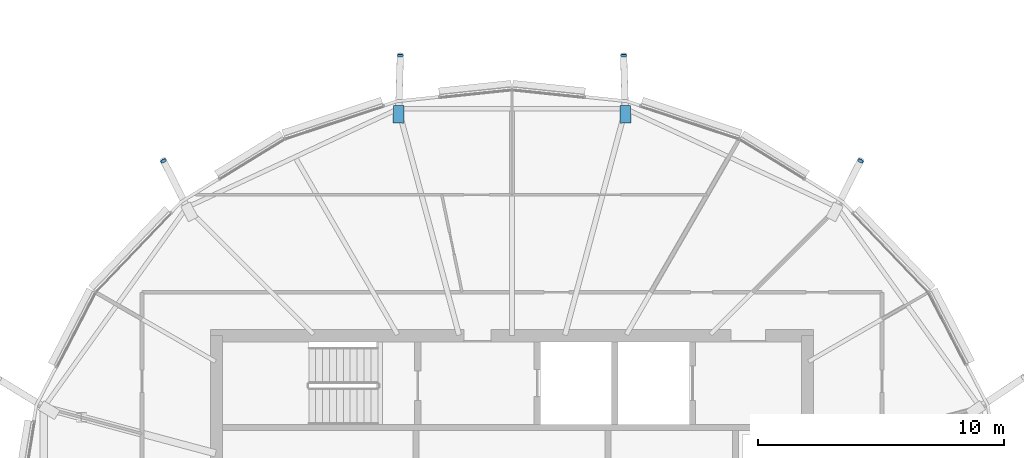
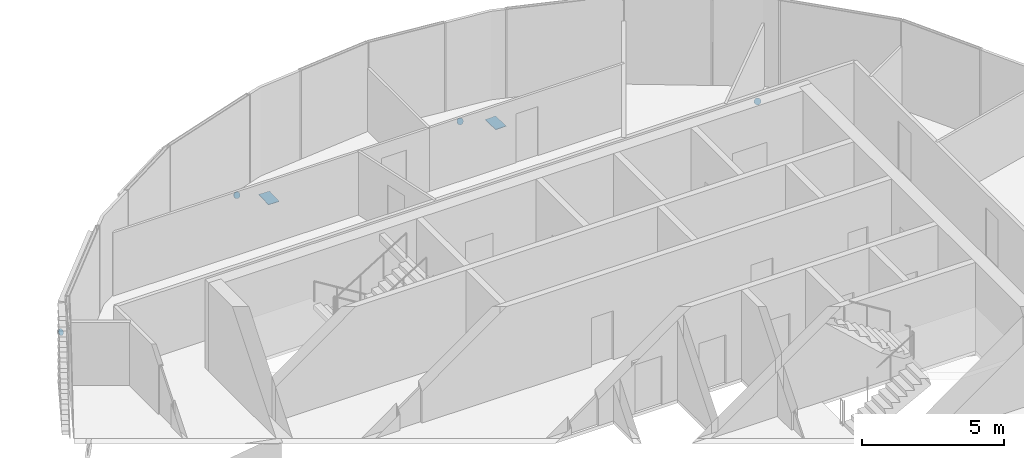
# One storey, part 27 of 36: 6 discrete accessories.
"""IFC4 building model written with IfcOpenShell, lengths in metres."""

import ifcopenshell
import ifcopenshell.guid

model = None  # the IFC model being written
_history = None  # IfcOwnerHistory: only IFC2X3 demands one
_inside = {}  # id of a spatial element -> (the spatial element, [elements in it])
_under = {}  # id of a project, library or spatial element -> (it, [spatial elements below it])
_declared = {}  # id of a project -> (the project, [libraries it declares])
_typed = {}  # id of a type object -> (the type object, [elements of that type])
_made_of = {}  # id of a material, layer set ... -> (it, [elements and type objects made of it])


def new_model(schema):
    """Start an empty IFC model of exactly this schema.

    Asked for "IFC4X3", IfcOpenShell would pick the latest addendum, in which some entities
    have other attributes; the version numbers below select the first issue.
    IFC2X3 requires an IfcOwnerHistory on every rooted entity: one is made here for all.
    """
    global model, _history
    if schema == "IFC4X3":
        model = ifcopenshell.file(schema_version=(4, 3, 0, 0))
    else:
        model = ifcopenshell.file(schema=schema)
    _inside.clear()
    _under.clear()
    _declared.clear()
    _typed.clear()
    _made_of.clear()
    _history = None
    if model.schema == "IFC2X3":
        org = make("IfcOrganization", Name="unknown")
        user = make(
            "IfcPersonAndOrganization",
            ThePerson=make("IfcPerson", FamilyName="unknown"),
            TheOrganization=org,
        )
        app = make(
            "IfcApplication",
            ApplicationDeveloper=org,
            Version="unknown",
            ApplicationFullName="unknown",
            ApplicationIdentifier="unknown",
        )
        _history = make(
            "IfcOwnerHistory",
            OwningUser=user,
            OwningApplication=app,
            ChangeAction="ADDED",
            CreationDate=0,
        )
    return model


def make(cls, **values):
    """One entity of the class cls with the attributes given. An attribute that is None is left unset."""
    return model.create_entity(
        cls, **{name: value for name, value in values.items() if value is not None}
    )


def rooted(cls, **values):
    """An entity with a GlobalId (a new one), such as an element, a storey or a relation."""
    return make(cls, GlobalId=ifcopenshell.guid.new(), OwnerHistory=_history, **values)


def si_unit(unit_type, name, prefix=None):
    """IfcSIUnit, for example si_unit("LENGTHUNIT", "METRE", prefix="MILLI")."""
    return make("IfcSIUnit", UnitType=unit_type, Prefix=prefix, Name=name)


def assignment(units):
    """IfcUnitAssignment: the units of a project."""
    return None if units is None else make("IfcUnitAssignment", Units=units)


def point(xyz):
    """IfcCartesianPoint."""
    return None if xyz is None else make("IfcCartesianPoint", Coordinates=xyz)


def direction(xyz):
    """IfcDirection."""
    return None if xyz is None else make("IfcDirection", DirectionRatios=xyz)


def frame(location, z_axis=None, x_axis=None):
    """IfcAxis2Placement3D, a coordinate frame: its origin and axes. An axis left out is left unset."""
    return make(
        "IfcAxis2Placement3D",
        Location=point(location),
        Axis=direction(z_axis),
        RefDirection=direction(x_axis),
    )


def frame_2d(location, x_axis=None):
    """IfcAxis2Placement2D, a coordinate frame in the plane: its origin and x axis."""
    return make(
        "IfcAxis2Placement2D", Location=point(location), RefDirection=direction(x_axis)
    )


def origin():
    """The frame at (0, 0, 0) with its axes left unset."""
    return frame((0.0, 0.0, 0.0))


def origin_2d():
    """The frame at (0, 0) in the plane with its x axis left unset."""
    return frame_2d((0.0, 0.0))


def place(relative_to, where):
    """IfcLocalPlacement: puts the frame where relative to a parent placement (None: the world)."""
    return make(
        "IfcLocalPlacement", PlacementRelTo=relative_to, RelativePlacement=where
    )


def context(
    kind, dimensions, precision=None, world=None, true_north=None, identifier=None
):
    """IfcGeometricRepresentationContext, for example the 3D "Model" context."""
    return make(
        "IfcGeometricRepresentationContext",
        ContextIdentifier=identifier,
        ContextType=kind,
        CoordinateSpaceDimension=dimensions,
        Precision=precision,
        WorldCoordinateSystem=world,
        TrueNorth=true_north,
    )


def subcontext(parent, identifier, kind, view, scale=None):
    """IfcGeometricRepresentationSubContext, for example "Body" below "Model"."""
    return make(
        "IfcGeometricRepresentationSubContext",
        ContextIdentifier=identifier,
        ContextType=kind,
        ParentContext=parent,
        TargetScale=scale,
        TargetView=view,
    )


def project(units=None, contexts=None):
    """IfcProject with its units and contexts."""
    return rooted(
        "IfcProject",
        Name="project",
        RepresentationContexts=contexts,
        UnitsInContext=assignment(units),
    )


def spatial(cls, under=None, at=None, **own):
    """A site, building, storey or space (cls), placed at a placement, below another one or the project."""
    s = rooted(cls, ObjectPlacement=at, **own)
    if under is not None:
        _under.setdefault(under.id(), (under, []))[1].append(s)
    return s


def polyline(points):
    """IfcPolyline through the points."""
    return make("IfcPolyline", Points=[point(p) for p in points])


def profile(cls, at=None, kind="AREA", **sizes):
    """A parametric profile (cls). Its sizes go by their IFC names, for example OverallWidth=200.0."""
    return make(cls, ProfileType=kind, Position=at, **sizes)


def rectangle(**sizes):
    """IfcRectangleProfileDef."""
    return profile("IfcRectangleProfileDef", **sizes)


def circle(**sizes):
    """IfcCircleProfileDef."""
    return profile("IfcCircleProfileDef", **sizes)


def outline(outer, holes=None, kind="AREA"):
    """IfcArbitraryClosedProfileDef: a profile drawn as a closed curve; with holes, ...WithVoids."""
    if holes is None:
        return make("IfcArbitraryClosedProfileDef", ProfileType=kind, OuterCurve=outer)
    return make(
        "IfcArbitraryProfileDefWithVoids",
        ProfileType=kind,
        OuterCurve=outer,
        InnerCurves=holes,
    )


def extrude(swept, where, along, depth):
    """IfcExtrudedAreaSolid: the profile swept, set in the frame where, extruded along a direction by depth."""
    return make(
        "IfcExtrudedAreaSolid",
        SweptArea=swept,
        Position=where,
        ExtrudedDirection=direction(along),
        Depth=depth,
    )


def shape(context_of_items, identifier, shape_type, items):
    """IfcShapeRepresentation: the items that make up one representation, for example the "Body"."""
    return make(
        "IfcShapeRepresentation",
        ContextOfItems=context_of_items,
        RepresentationIdentifier=identifier,
        RepresentationType=shape_type,
        Items=items,
    )


def material(Name=None, Category=None):
    """IfcMaterial."""
    return make("IfcMaterial", Name=Name, Category=Category)


def material_profile(
    of_material, cross_section, Name=None, Category=None, Priority=None
):
    """IfcMaterialProfile: a cross section and its material."""
    return make(
        "IfcMaterialProfile",
        Name=Name,
        Material=of_material,
        Profile=cross_section,
        Priority=Priority,
        Category=Category,
    )


def profile_set(profiles, Name=None, composite=None):
    """IfcMaterialProfileSet."""
    return make(
        "IfcMaterialProfileSet",
        Name=Name,
        MaterialProfiles=profiles,
        CompositeProfile=composite,
    )


def made_of(thing, what):
    """Note that an element or type object is made of a material, layer set ...; save() writes the relation."""
    if what is not None:
        _made_of.setdefault(what.id(), (what, []))[1].append(thing)
    return thing


def type_object(cls, material=None, **own):
    """A type object (cls), such as IfcWallType, which elements share."""
    return made_of(rooted(cls, **own), material)


def element(
    cls,
    number,
    at=None,
    inside=None,
    cuts=None,
    type_object=None,
    material=None,
    context=None,
    identifier="Body",
    shape_type=None,
    held_by="IfcProductDefinitionShape",
    body=None,
    shapes=None,
    **own,
):
    """One element of the class cls, such as IfcWall. Its Tag is "e" and its number.

    at: its placement. inside: the storey or other place that contains it. cuts: it is an
    opening in that element (IfcRelVoidsElement). A single representation is given by context,
    identifier, shape_type and body (its items); several are given by shapes. held_by: the class
    of the entity that holds the representations. save() writes the other relations.
    """
    e = rooted(cls, Tag="e%d" % number, ObjectPlacement=at, **own)
    if body is not None:
        shapes = [shape(context, identifier, shape_type, body)]
    if shapes is not None:
        e.Representation = make(held_by, Representations=shapes)
    if inside is not None:
        _inside.setdefault(inside.id(), (inside, []))[1].append(e)
    if cuts is not None:
        rooted(
            "IfcRelVoidsElement", RelatingBuildingElement=cuts, RelatedOpeningElement=e
        )
    if type_object is not None:
        _typed.setdefault(type_object.id(), (type_object, []))[1].append(e)
    return made_of(e, material)


def aggregate(whole, parts):
    """IfcRelAggregates: a whole, such as a stair, and the parts it consists of."""
    return rooted("IfcRelAggregates", RelatingObject=whole, RelatedObjects=parts)


def save(model, path):
    """Write the relations noted so far, then the file.

    IfcRelAggregates (storeys below a building ...), IfcRelContainedInSpatialStructure (elements
    in a storey), IfcRelDefinesByType, IfcRelAssociatesMaterial and IfcRelDeclares: one each for
    every whole, place, type object, material and project.
    """
    for whole, parts in _under.values():
        aggregate(whole, parts)
    for where, things in _inside.values():
        rooted(
            "IfcRelContainedInSpatialStructure",
            RelatedElements=things,
            RelatingStructure=where,
        )
    for kind, things in _typed.values():
        rooted("IfcRelDefinesByType", RelatedObjects=things, RelatingType=kind)
    for what, things in _made_of.values():
        rooted("IfcRelAssociatesMaterial", RelatedObjects=things, RelatingMaterial=what)
    for by, libraries in _declared.values():
        rooted("IfcRelDeclares", RelatingContext=by, RelatedDefinitions=libraries)
    model.write(path)


model = new_model("IFC4")

# Units and contexts
model_context = context("Model", 3, precision=1e-05, world=origin(), true_north=direction((0.0, 1.0)))
body_context = subcontext(model_context, "Body", "Model", "MODEL_VIEW")
ifc_project = project(units=[si_unit("LENGTHUNIT", "METRE"), si_unit("AREAUNIT", "SQUARE_METRE"), si_unit("VOLUMEUNIT", "CUBIC_METRE"), si_unit("PLANEANGLEUNIT", "RADIAN"), si_unit("MASSUNIT", "GRAM", prefix="KILO")], contexts=[model_context])

# Site, building, storey
site_placement = place(None, origin())
site = spatial("IfcSite", under=ifc_project, at=site_placement, CompositionType="ELEMENT")
building_placement = place(site_placement, origin())
building = spatial("IfcBuilding", under=site, at=building_placement, Name="Rimbun Link Towers", CompositionType="ELEMENT")
storey_placement = place(building_placement, frame((0.0, 0.0, 248.5)))
storey = spatial("IfcBuildingStorey", under=building, at=storey_placement, Name="L61", CompositionType="ELEMENT", Elevation=248.5)

# Discrete accessories
ifc_material_1 = material(Name="Steel S355J2H", Category="steel")
ifc_material_profile_1 = material_profile(ifc_material_1, circle(Radius=0.1240234375, at=origin_2d()), Name="PL D248")
ifc_profile_set_1 = profile_set([ifc_material_profile_1], Name="Steel S355J2H")
discrete_accessory_type_1 = type_object("IfcDiscreteAccessoryType", Name="Link foot sealing plate D248X20", PredefinedType="BRACKET", material=ifc_profile_set_1)
for number, where, z_axis, x_axis, name in (
    (1, (-17.6015625, 15.09619140625, -1.95068359375), (0.389289794786, 0.766414283485, -0.510942855656), (-0.891578868093, 0.452865456809, 0.0), "Link foot sealing plate T1 L61 03"),
    (2, (-27.215087890625, 19.368896484375, -2.02783203125), (-0.024274991071, 0.873899678569, -0.485499821427), (-0.999614420653, -0.02776706724, 0.0), "Link foot sealing plate T1 L61 05"),
    (3, (-36.284912109375, 19.368896484375, -2.02783203125), (0.024274991071, 0.873899678569, -0.485499821427), (-0.999614420653, 0.02776706724, 0.0), "Link foot sealing plate T1 L61 07"),
    (4, (-45.8984375, 15.09619140625, -1.95068359375), (-0.389289794786, 0.766414283485, -0.510942855656), (-0.891578868093, -0.452865456809, 0.0), "Link foot sealing plate T1 L61 09"),
):
    element("IfcDiscreteAccessory", number, at=place(storey_placement, frame(where, z_axis=z_axis, x_axis=x_axis)), inside=storey, type_object=discrete_accessory_type_1, Name=name, PredefinedType="BRACKET", context=body_context, shape_type="SweptSolid", body=[
        extrude(circle(Radius=0.1240234375, at=origin_2d()), origin(), (0.0, 0.0, 1.0), 0.02001953125),
    ])
ifc_material_2 = material(Name="Steel S355J2H", Category="steel")
ifc_material_profile_2 = material_profile(ifc_material_2, rectangle(XDim=0.43310546875, YDim=0.43310546875, at=origin_2d()), Name="PL 433x433")
ifc_profile_set_2 = profile_set([ifc_material_profile_2], Name="Steel S355J2H")
discrete_accessory_type_2 = type_object("IfcDiscreteAccessoryType", Name="Link head end plate 433X20", PredefinedType="BRACKET", material=ifc_profile_set_2)
discrete_accessory_1_placement = place(storey_placement, frame((0.0, 0.0, -0.693115234375)))
element("IfcDiscreteAccessory", 5, at=discrete_accessory_1_placement, inside=storey, type_object=discrete_accessory_type_2, Name="Link head end plate T1 L61 05", PredefinedType="BRACKET", context=body_context, shape_type="SweptSolid", body=[
    extrude(outline(polyline([(-26.917724609375, 16.639892578125), (-26.93896484375, 17.357421875), (-27.37158203125, 17.344482421875), (-27.3505859375, 16.627197265625), (-26.917724609375, 16.639892578125)])), origin(), (0.0, 0.0, 1.0), 0.02001953125),
])
discrete_accessory_2_placement = place(storey_placement, frame((0.0, 0.0, -0.693115234375)))
element("IfcDiscreteAccessory", 6, at=discrete_accessory_2_placement, inside=storey, type_object=discrete_accessory_type_2, Name="Link head end plate T1 L61 07", PredefinedType="BRACKET", context=body_context, shape_type="SweptSolid", body=[
    extrude(outline(polyline([(-36.1494140625, 16.627197265625), (-36.12841796875, 17.344482421875), (-36.56103515625, 17.357421875), (-36.582275390625, 16.639892578125), (-36.1494140625, 16.627197265625)])), origin(), (0.0, 0.0, 1.0), 0.02001953125),
])

save(model, "model.ifc")
